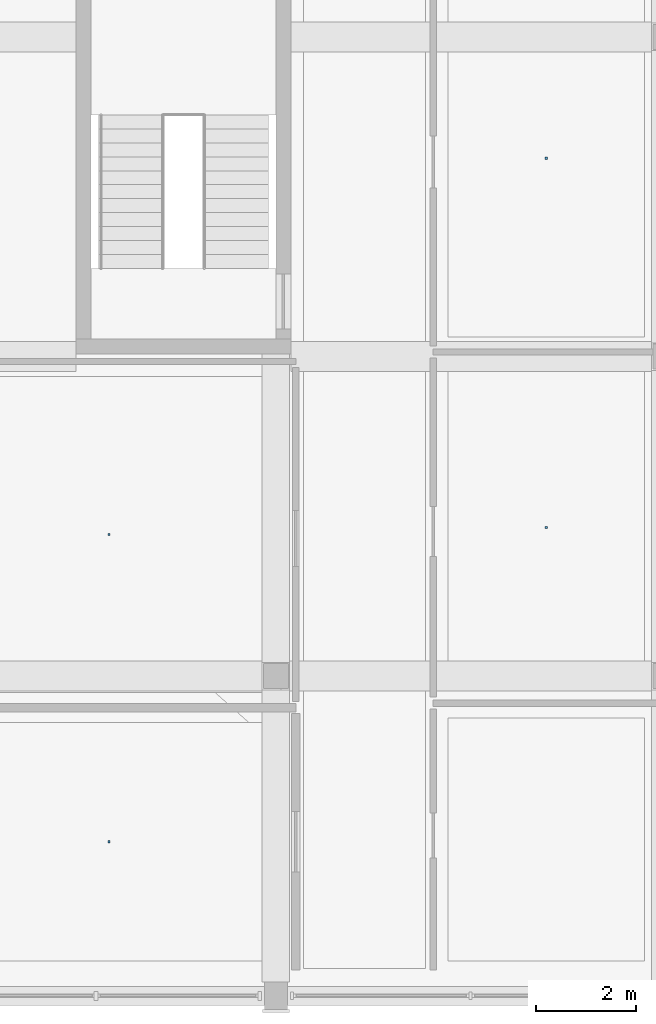
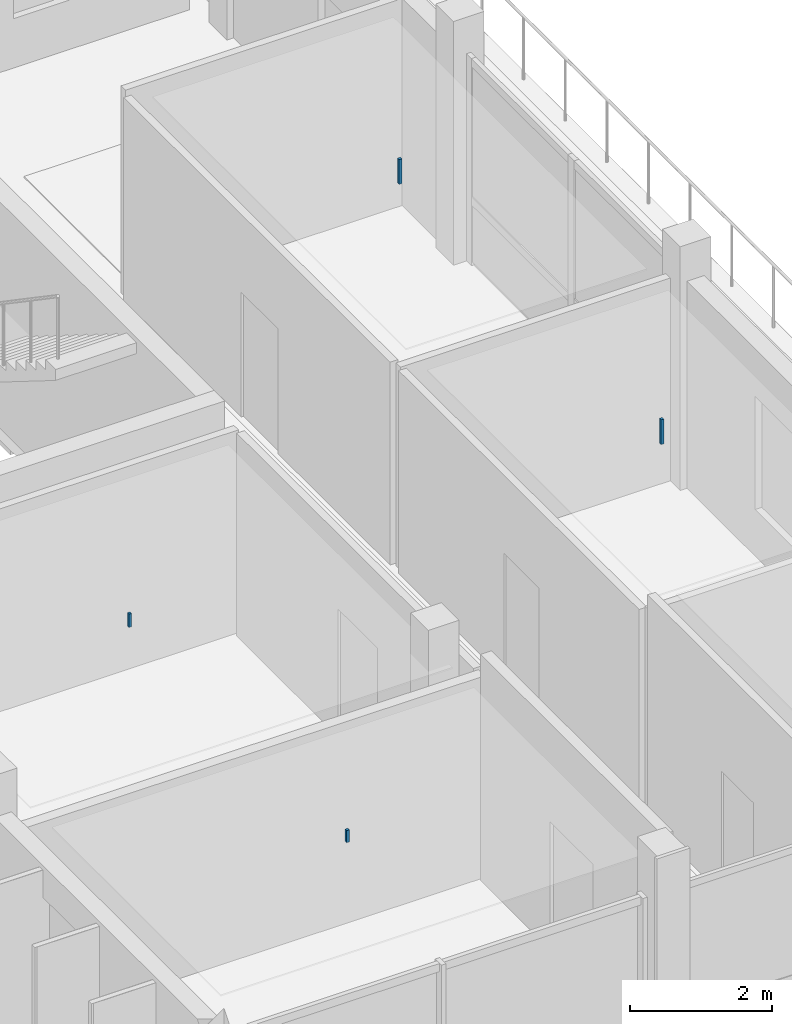
# One storey, part 57 of 85: 4 discrete accessories.
"""IFC4 building model written with IfcOpenShell, lengths in metres."""

from ifc_helpers import new_model, si_unit, derived_unit, direction, frame, origin, origin_2d, place, context, subcontext, project, spatial, rectangle, extrude, material, type_object, element, save


model = new_model("IFC4")

# Units and contexts
model_context = context("Model", 3, precision=1e-05, world=origin(), true_north=direction((0.0, 1.0)))
body_context = subcontext(model_context, "Body", "Model", "MODEL_VIEW")
ifc_project = project(units=[si_unit("LENGTHUNIT", "METRE"), si_unit("AREAUNIT", "SQUARE_METRE"), si_unit("VOLUMEUNIT", "CUBIC_METRE"), si_unit("PLANEANGLEUNIT", "RADIAN"), si_unit("MASSUNIT", "GRAM", prefix="KILO"), derived_unit("THERMALTRANSMITTANCEUNIT", [(si_unit("POWERUNIT", "WATT"), 1), (si_unit("LENGTHUNIT", "METRE"), -2), (si_unit("THERMODYNAMICTEMPERATUREUNIT", "KELVIN"), -1)])], contexts=[model_context])

# Site, building, storey
site_placement = place(None, origin())
site = spatial("IfcSite", under=ifc_project, at=site_placement, CompositionType="ELEMENT")
building_placement = place(site_placement, origin())
building = spatial("IfcBuilding", under=site, at=building_placement, Name="Braskholm Square Health Centre", CompositionType="ELEMENT")
storey_placement = place(building_placement, frame((0.0, 0.0, 9.300048828125)))
storey = spatial("IfcBuildingStorey", under=building, at=storey_placement, Name="L03", CompositionType="ELEMENT", Elevation=9.300048828125)

# Discrete accessories
ifc_material = material(Name="Steel ASTM A500 Grade C", Category="steel")
discrete_accessory_type = type_object("IfcDiscreteAccessoryType", Name="CeilingSuspensionBracket", PredefinedType="BRACKET", material=ifc_material)
discrete_accessory_1_placement = place(storey_placement, frame((8.06005859375, 7.284912109375, 3.501953125), z_axis=(0.0, 0.0, 1.0), x_axis=(1.0, 0.0, 0.0)))
element("IfcDiscreteAccessory", 1, at=discrete_accessory_1_placement, inside=storey, type_object=discrete_accessory_type, Name="Ceiling hanger bracket 0042", PredefinedType="BRACKET", context=body_context, shape_type="SweptSolid", body=[
    extrude(rectangle(XDim=0.044921875, YDim=0.044921875, at=origin_2d()), origin(), (0.0, 0.0, 1.0), 0.2099609375),
])
discrete_accessory_2_placement = place(storey_placement, frame((8.06005859375, 13.43505859375, 3.48193359375), z_axis=(0.0, 0.0, 1.0), x_axis=(1.0, 0.0, 0.0)))
element("IfcDiscreteAccessory", 2, at=discrete_accessory_2_placement, inside=storey, type_object=discrete_accessory_type, Name="Ceiling hanger bracket 0043", PredefinedType="BRACKET", context=body_context, shape_type="SweptSolid", body=[
    extrude(rectangle(XDim=0.044921875, YDim=0.044921875, at=origin_2d()), origin(), (0.0, 0.0, 1.0), 0.22998046875),
])
for number, where, z_axis, x_axis, name in (
    (3, (16.81494140625, 13.574951171875, 3.48193359375), (0.0, 0.0, 1.0), (1.0, 0.0, 0.0), "Ceiling hanger bracket 0055"),
    (4, (16.81494140625, 20.969970703125, 3.48193359375), (0.0, 0.0, 1.0), (1.0, 0.0, 0.0), "Ceiling hanger bracket 0056"),
):
    element("IfcDiscreteAccessory", number, at=place(storey_placement, frame(where, z_axis=z_axis, x_axis=x_axis)), inside=storey, type_object=discrete_accessory_type, Name=name, PredefinedType="BRACKET", context=body_context, shape_type="SweptSolid", body=[
        extrude(rectangle(XDim=0.044921875, YDim=0.044921875, at=origin_2d()), origin(), (0.0, 0.0, 1.0), 0.429931640625),
    ])

save(model, "model.ifc")
